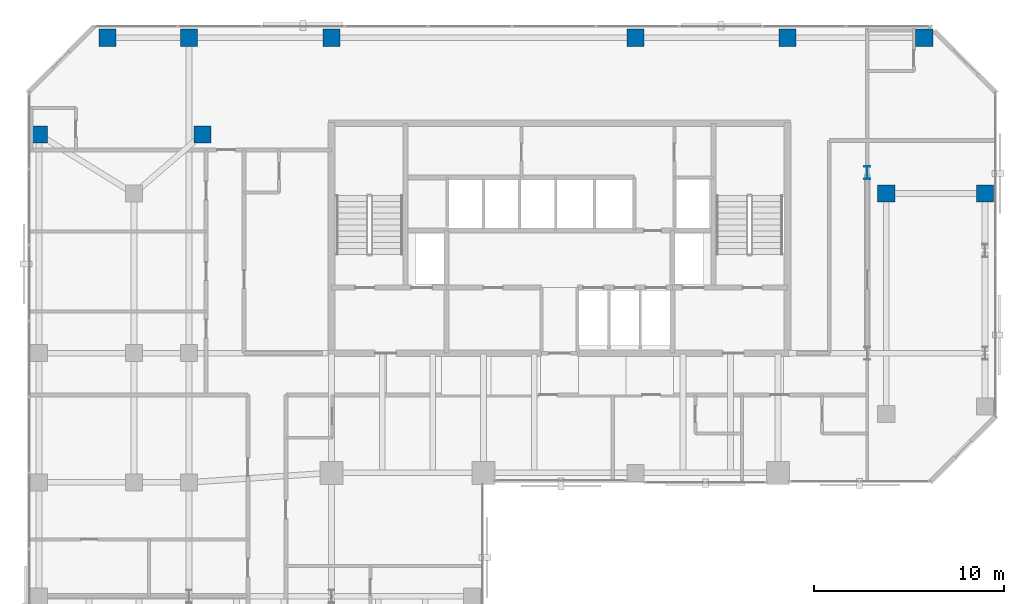
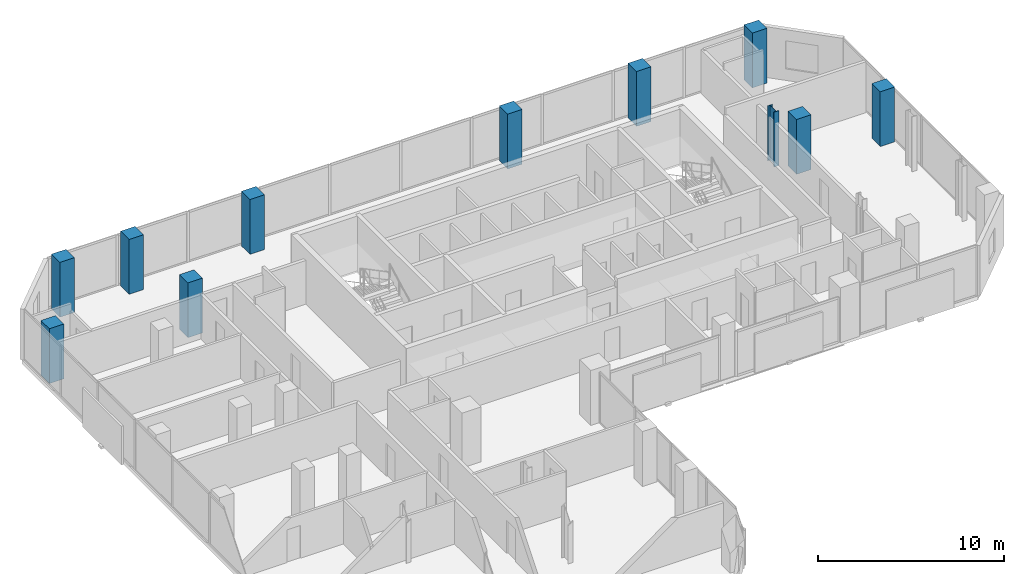
# One storey, part 2 of 34: 11 columns.
"""IFC4 building model written with IfcOpenShell, lengths in metres."""

from ifc_helpers import new_model, si_unit, direction, frame, origin, origin_2d, place, context, subcontext, project, spatial, rectangle, i_section, extrude, material, material_profile, profile_set, type_object, element, save


model = new_model("IFC4")

# Units and contexts
model_context = context("Model", 3, precision=1e-05, world=origin(), true_north=direction((0.0, 1.0)))
body_context = subcontext(model_context, "Body", "Model", "MODEL_VIEW")
ifc_project = project(units=[si_unit("LENGTHUNIT", "METRE"), si_unit("AREAUNIT", "SQUARE_METRE"), si_unit("VOLUMEUNIT", "CUBIC_METRE"), si_unit("PLANEANGLEUNIT", "RADIAN"), si_unit("MASSUNIT", "GRAM", prefix="KILO")], contexts=[model_context])

# Site, building, storey
site_placement = place(None, origin())
site = spatial("IfcSite", under=ifc_project, at=site_placement, CompositionType="ELEMENT")
building_placement = place(site_placement, origin())
building = spatial("IfcBuilding", under=site, at=building_placement, Name="Catumbela Crestline Tower", CompositionType="ELEMENT")
storey_placement = place(building_placement, frame((0.0, 0.0, 115.2)))
storey = spatial("IfcBuildingStorey", under=building, at=storey_placement, Name="L29", CompositionType="ELEMENT", Elevation=115.2)

# Columns
ifc_material_1 = material(Name="Concrete C50/60", Category="concrete")
ifc_material_profile_1 = material_profile(ifc_material_1, rectangle(XDim=0.9, YDim=0.9, at=origin_2d()), Name="RC 900x900")
ifc_profile_set_1 = profile_set([ifc_material_profile_1], Name="Concrete C50/60")
column_type_1 = type_object("IfcColumnType", Name="C-RC900-C50", PredefinedType="COLUMN", material=ifc_profile_set_1)
for number, where, z_axis, x_axis, name in (
    (1, (9.2, 42.3, 0.0), (0.0, 0.0, 1.0), (1.0, 0.0, 0.0), "L29 Column C-08-43 (RC 900x900)"),
    (2, (45.2, 39.2, 0.0), (0.0, 0.0, 1.0), (1.0, 0.0, 0.0), "L29 Column C-46-43 (RC 900x900)"),
    (3, (0.6, 42.3, 0.0), (0.0, 0.0, 1.0), (1.0, 0.0, 0.0), "L29 Column C-00-43 (RC 900x900)"),
    (4, (4.2, 47.4, 0.0), (0.0, 0.0, 1.0), (1.0, 0.0, 0.0), "L29 Column C-00-48 (RC 900x900)"),
    (5, (8.5, 47.4, 0.0), (0.0, 0.0, 1.0), (1.0, 0.0, 0.0), "L29 Column C-08-48 (RC 900x900)"),
    (6, (16.0, 47.4, 0.0), (0.0, 0.0, 1.0), (1.0, 0.0, 0.0), "L29 Column C-16-48 (RC 900x900)"),
    (7, (32.0, 47.4, 0.0), (0.0, 0.0, 1.0), (1.0, 0.0, 0.0), "L29 Column C-32-48 (RC 900x900)"),
    (8, (40.0, 47.4, 0.0), (0.0, 0.0, 1.0), (1.0, 0.0, 0.0), "L29 Column C-40-48 (RC 900x900)"),
    (9, (47.2, 47.4, 0.0), (0.0, 0.0, 1.0), (1.0, 0.0, 0.0), "L29 Column C-48-48 (RC 900x900)"),
    (10, (50.4, 39.2, 0.0), (0.0, 0.0, 1.0), (1.0, 0.0, 0.0), "L29 Column C-51-43 (RC 900x900)"),
):
    element("IfcColumn", number, at=place(storey_placement, frame(where, z_axis=z_axis, x_axis=x_axis)), inside=storey, type_object=column_type_1, Name=name, PredefinedType="COLUMN", context=body_context, shape_type="SweptSolid", body=[
        extrude(rectangle(XDim=0.9, YDim=0.9, at=origin_2d()), origin(), (0.0, 0.0, 1.0), 3.6),
    ])
ifc_material_2 = material(Name="Structural steel S460M", Category="steel")
ifc_material_profile_2 = material_profile(ifc_material_2, i_section(OverallWidth=0.3, OverallDepth=0.7, WebThickness=0.017, FlangeThickness=0.032, FilletRadius=0.027, at=origin_2d()), Name="HEB 700")
ifc_profile_set_2 = profile_set([ifc_material_profile_2], Name="Structural steel S460M")
column_type_2 = type_object("IfcColumnType", Name="C-ST-HEB700", PredefinedType="COLUMN", material=ifc_profile_set_2)
column_placement = place(storey_placement, frame((44.2, 40.3, 0.0), z_axis=(0.0, 0.0, 1.0), x_axis=(1.0, 0.0, 0.0)))
element("IfcColumn", 11, at=column_placement, inside=storey, type_object=column_type_2, Name="L29 Column CT-46-37 (HEB 700)", PredefinedType="COLUMN", context=body_context, shape_type="SweptSolid", body=[
    extrude(i_section(OverallWidth=0.3, OverallDepth=0.7, WebThickness=0.017, FlangeThickness=0.032, FilletRadius=0.027, at=origin_2d()), origin(), (0.0, 0.0, 1.0), 3.6),
])

save(model, "model.ifc")
